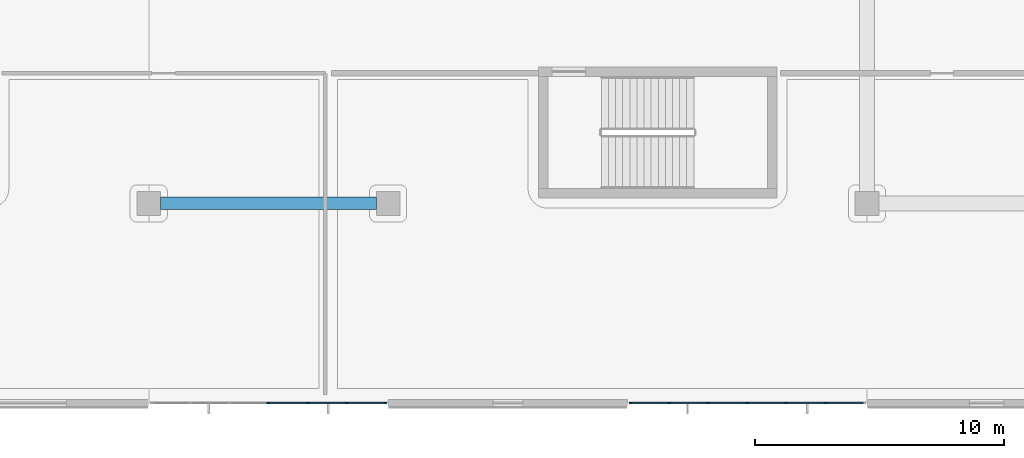
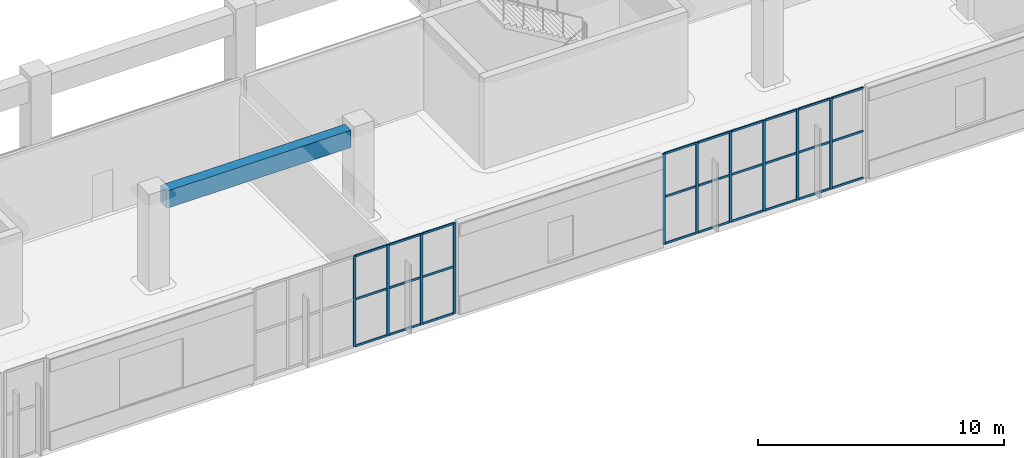
# One storey, part 8 of 86: 37 members, 1 beam, 2 elements without a shape of their own.
"""IFC4 building model written with IfcOpenShell, lengths in metres."""

from ifc_helpers import new_model, si_unit, direction, frame, origin, origin_2d, place, context, subcontext, project, spatial, rectangle, extrude, material, layer, layer_set, material_profile, profile_set, type_object, element, aggregate, save


model = new_model("IFC4")

# Units and contexts
model_context = context("Model", 3, precision=1e-05, world=origin(), true_north=direction((0.0, 1.0)))
body_context = subcontext(model_context, "Body", "Model", "MODEL_VIEW")
ifc_project = project(units=[si_unit("LENGTHUNIT", "METRE"), si_unit("AREAUNIT", "SQUARE_METRE"), si_unit("VOLUMEUNIT", "CUBIC_METRE"), si_unit("PLANEANGLEUNIT", "RADIAN"), si_unit("MASSUNIT", "GRAM", prefix="KILO")], contexts=[model_context])

# Site, building, storey
site_placement = place(None, origin())
site = spatial("IfcSite", under=ifc_project, at=site_placement, CompositionType="ELEMENT")
building_placement = place(site_placement, origin())
building = spatial("IfcBuilding", under=site, at=building_placement, Name="Cendralis Terraced Arcade", CompositionType="ELEMENT")
storey_placement = place(building_placement, frame((0.0, 0.0, 5.39990234375)))
storey = spatial("IfcBuildingStorey", under=building, at=storey_placement, Name="L01", CompositionType="ELEMENT", Elevation=5.39990234375)

# Beam
ifc_material_1 = material(Name="Concrete f'c 35 MPa", Category="concrete")
ifc_material_profile_1 = material_profile(ifc_material_1, rectangle(XDim=0.5, YDim=0.85009765625, at=origin_2d()), Name="RC-BM-500x850", Category="LoadBearing")
ifc_profile_set_1 = profile_set([ifc_material_profile_1], Name="Concrete f'c 35 MPa")
beam_type = type_object("IfcBeamType", Name="BM-500x850", PredefinedType="JOIST", material=ifc_profile_set_1)
beam_placement = place(storey_placement, frame((29.27490234375, 9.60009765625, 4.080078125), z_axis=(1.0, 0.0, 0.0), x_axis=(0.0, 1.0, 0.0)))
element("IfcBeam", 1, at=beam_placement, inside=storey, type_object=beam_type, Name="Terrace Support Girder TER-L02-VOID-2", PredefinedType="JOIST", context=body_context, shape_type="SweptSolid", body=[
    extrude(rectangle(XDim=0.5, YDim=0.85009765625, at=origin_2d()), origin(), (0.0, 0.0, 1.0), 8.650146484375),
])

# Curtain wall, members
ifc_material_2 = material(Name="Anodised aluminium EN AW-6063 T6", Category="aluminium")
ifc_layer = layer(ifc_material_2, 0.1201171875, Name="CW-STORE-B")
ifc_layer_set = layer_set([ifc_layer], Name="Anodised aluminium EN AW-6063 T6")
curtain_wall_type = type_object("IfcCurtainWallType", Name="CW-STORE-B", PredefinedType="USERDEFINED", material=ifc_layer_set)
curtain_wall_1_placement = place(storey_placement, origin())
curtain_wall_1 = element("IfcCurtainWall", 2, at=curtain_wall_1_placement, inside=storey, type_object=curtain_wall_type, Name="Exterior Storefront Glazing CW-L01-0093", ObjectType="STOREFRONT GLAZING", PredefinedType="USERDEFINED")
ifc_material_profile_2 = material_profile(ifc_material_2, rectangle(XDim=0.054931640625, YDim=0.1201171875, at=origin_2d()), Name="ALU-MUL-55x120")
ifc_profile_set_2 = profile_set([ifc_material_profile_2], Name="Anodised aluminium EN AW-6063 T6")
member_type_1 = type_object("IfcMemberType", Name="CW-STORE-B-MUL", PredefinedType="MULLION", material=ifc_profile_set_2)
member_1_placement = place(storey_placement, frame((55.93994140625, 1.60009765625, 0.0), z_axis=(0.0, 0.0, 1.0), x_axis=(0.0, -1.0, 0.0)))
member_1 = element("IfcMember", 3, at=member_1_placement, type_object=member_type_1, Name="CW-S2 mullion 2", PredefinedType="MULLION", context=body_context, shape_type="SweptSolid", body=[
    extrude(rectangle(XDim=0.054931640625, YDim=0.1201171875, at=origin_2d()), origin(), (0.0, 0.0, 1.0), 4.505126953125),
])
member_2_placement = place(storey_placement, frame((54.3701171875, 1.60009765625, 0.0), z_axis=(0.0, 0.0, 1.0), x_axis=(0.0, -1.0, 0.0)))
member_2 = element("IfcMember", 4, at=member_2_placement, type_object=member_type_1, Name="CW-S2 mullion 3", PredefinedType="MULLION", context=body_context, shape_type="SweptSolid", body=[
    extrude(rectangle(XDim=0.054931640625, YDim=0.1201171875, at=origin_2d()), origin(), (0.0, 0.0, 1.0), 4.505126953125),
])
member_3_placement = place(storey_placement, frame((52.800048828125, 1.60009765625, 0.0), z_axis=(0.0, 0.0, 1.0), x_axis=(0.0, -1.0, 0.0)))
member_3 = element("IfcMember", 5, at=member_3_placement, type_object=member_type_1, Name="CW-S2 mullion 4", PredefinedType="MULLION", context=body_context, shape_type="SweptSolid", body=[
    extrude(rectangle(XDim=0.054931640625, YDim=0.1201171875, at=origin_2d()), origin(), (0.0, 0.0, 1.0), 4.505126953125),
])
member_4_placement = place(storey_placement, frame((51.22998046875, 1.60009765625, 0.0), z_axis=(0.0, 0.0, 1.0), x_axis=(0.0, -1.0, 0.0)))
member_4 = element("IfcMember", 6, at=member_4_placement, type_object=member_type_1, Name="CW-S2 mullion 5", PredefinedType="MULLION", context=body_context, shape_type="SweptSolid", body=[
    extrude(rectangle(XDim=0.054931640625, YDim=0.1201171875, at=origin_2d()), origin(), (0.0, 0.0, 1.0), 4.505126953125),
])
member_5_placement = place(storey_placement, frame((49.659912109375, 1.60009765625, 0.0), z_axis=(0.0, 0.0, 1.0), x_axis=(0.0, -1.0, 0.0)))
member_5 = element("IfcMember", 7, at=member_5_placement, type_object=member_type_1, Name="CW-S2 mullion 6", PredefinedType="MULLION", context=body_context, shape_type="SweptSolid", body=[
    extrude(rectangle(XDim=0.054931640625, YDim=0.1201171875, at=origin_2d()), origin(), (0.0, 0.0, 1.0), 4.505126953125),
])
member_6_placement = place(storey_placement, frame((48.117431640625, 1.60009765625, 0.0), z_axis=(0.0, 0.0, 1.0), x_axis=(0.0, -1.0, 0.0)))
member_6 = element("IfcMember", 8, at=member_6_placement, type_object=member_type_1, Name="CW-S2 mullion 7", PredefinedType="MULLION", context=body_context, shape_type="SweptSolid", body=[
    extrude(rectangle(XDim=0.054931640625, YDim=0.1201171875, at=origin_2d()), origin(), (0.0, 0.0, 1.0), 4.505126953125),
])

curtain_wall_2_placement = place(storey_placement, origin())
curtain_wall_2 = element("IfcCurtainWall", 9, at=curtain_wall_2_placement, inside=storey, type_object=curtain_wall_type, Name="Exterior Storefront Glazing CW-L01-0094", ObjectType="STOREFRONT GLAZING", PredefinedType="USERDEFINED")
member_7_placement = place(storey_placement, frame((38.282470703125, 1.60009765625, 0.0), z_axis=(0.0, 0.0, 1.0), x_axis=(0.0, -1.0, 0.0)))
member_7 = element("IfcMember", 10, at=member_7_placement, type_object=member_type_1, Name="CW-S2 mullion 1", PredefinedType="MULLION", context=body_context, shape_type="SweptSolid", body=[
    extrude(rectangle(XDim=0.054931640625, YDim=0.1201171875, at=origin_2d()), origin(), (0.0, 0.0, 1.0), 4.505126953125),
])
member_8_placement = place(storey_placement, frame((36.739990234375, 1.60009765625, 0.0), z_axis=(0.0, 0.0, 1.0), x_axis=(0.0, -1.0, 0.0)))
member_8 = element("IfcMember", 11, at=member_8_placement, type_object=member_type_1, Name="CW-S2 mullion 2", PredefinedType="MULLION", context=body_context, shape_type="SweptSolid", body=[
    extrude(rectangle(XDim=0.054931640625, YDim=0.1201171875, at=origin_2d()), origin(), (0.0, 0.0, 1.0), 4.505126953125),
])
member_9_placement = place(storey_placement, frame((35.169921875, 1.60009765625, 0.0), z_axis=(0.0, 0.0, 1.0), x_axis=(0.0, -1.0, 0.0)))
member_9 = element("IfcMember", 12, at=member_9_placement, type_object=member_type_1, Name="CW-S2 mullion 3", PredefinedType="MULLION", context=body_context, shape_type="SweptSolid", body=[
    extrude(rectangle(XDim=0.054931640625, YDim=0.1201171875, at=origin_2d()), origin(), (0.0, 0.0, 1.0), 4.505126953125),
])
member_10_placement = place(storey_placement, frame((33.60009765625, 1.60009765625, 0.0), z_axis=(0.0, 0.0, 1.0), x_axis=(0.0, -1.0, 0.0)))
member_10 = element("IfcMember", 13, at=member_10_placement, type_object=member_type_1, Name="CW-S2 mullion 4", PredefinedType="MULLION", context=body_context, shape_type="SweptSolid", body=[
    extrude(rectangle(XDim=0.054931640625, YDim=0.1201171875, at=origin_2d()), origin(), (0.0, 0.0, 1.0), 4.505126953125),
])

# Member
ifc_material_profile_3 = material_profile(ifc_material_2, rectangle(XDim=0.054931640625, YDim=0.10009765625, at=origin_2d()), Name="ALU-TRN-55x100")
ifc_profile_set_3 = profile_set([ifc_material_profile_3], Name="Anodised aluminium EN AW-6063 T6")
member_type_2 = type_object("IfcMemberType", Name="CW-STORE-B-TRN", PredefinedType="USERDEFINED", material=ifc_profile_set_3)
member_11_placement = place(storey_placement, frame((57.455078125, 1.60009765625, 0.027587890625), z_axis=(-1.0, 0.0, 0.0), x_axis=(0.0, -1.0, 0.0)))
member_11 = element("IfcMember", 14, at=member_11_placement, type_object=member_type_2, Name="CW-S2 transom 1.1", ObjectType="TRANSOM", PredefinedType="USERDEFINED", context=body_context, shape_type="SweptSolid", body=[
    extrude(rectangle(XDim=0.054931640625, YDim=0.10009765625, at=origin_2d()), origin(), (0.0, 0.0, 1.0), 1.487548828125),
])

member_12_placement = place(storey_placement, frame((57.455078125, 1.60009765625, 2.3427734375), z_axis=(-1.0, 0.0, 0.0), x_axis=(0.0, -1.0, 0.0)))
member_12 = element("IfcMember", 15, at=member_12_placement, type_object=member_type_2, Name="CW-S2 transom 1.2", ObjectType="TRANSOM", PredefinedType="USERDEFINED", context=body_context, shape_type="SweptSolid", body=[
    extrude(rectangle(XDim=0.054931640625, YDim=0.10009765625, at=origin_2d()), origin(), (0.0, 0.0, 1.0), 1.487548828125),
])

member_13_placement = place(storey_placement, frame((57.455078125, 1.60009765625, 4.4775390625), z_axis=(-1.0, 0.0, 0.0), x_axis=(0.0, -1.0, 0.0)))
member_13 = element("IfcMember", 16, at=member_13_placement, type_object=member_type_2, Name="CW-S2 transom 1.3", ObjectType="TRANSOM", PredefinedType="USERDEFINED", context=body_context, shape_type="SweptSolid", body=[
    extrude(rectangle(XDim=0.054931640625, YDim=0.10009765625, at=origin_2d()), origin(), (0.0, 0.0, 1.0), 1.487548828125),
])

member_14_placement = place(storey_placement, frame((55.91259765625, 1.60009765625, 0.027587890625), z_axis=(-1.0, 0.0, 0.0), x_axis=(0.0, -1.0, 0.0)))
member_14 = element("IfcMember", 17, at=member_14_placement, type_object=member_type_2, Name="CW-S2 transom 2.1", ObjectType="TRANSOM", PredefinedType="USERDEFINED", context=body_context, shape_type="SweptSolid", body=[
    extrude(rectangle(XDim=0.054931640625, YDim=0.10009765625, at=origin_2d()), origin(), (0.0, 0.0, 1.0), 1.51513671875),
])

member_15_placement = place(storey_placement, frame((55.91259765625, 1.60009765625, 2.3427734375), z_axis=(-1.0, 0.0, 0.0), x_axis=(0.0, -1.0, 0.0)))
member_15 = element("IfcMember", 18, at=member_15_placement, type_object=member_type_2, Name="CW-S2 transom 2.2", ObjectType="TRANSOM", PredefinedType="USERDEFINED", context=body_context, shape_type="SweptSolid", body=[
    extrude(rectangle(XDim=0.054931640625, YDim=0.10009765625, at=origin_2d()), origin(), (0.0, 0.0, 1.0), 1.51513671875),
])

member_16_placement = place(storey_placement, frame((55.91259765625, 1.60009765625, 4.4775390625), z_axis=(-1.0, 0.0, 0.0), x_axis=(0.0, -1.0, 0.0)))
member_16 = element("IfcMember", 19, at=member_16_placement, type_object=member_type_2, Name="CW-S2 transom 2.3", ObjectType="TRANSOM", PredefinedType="USERDEFINED", context=body_context, shape_type="SweptSolid", body=[
    extrude(rectangle(XDim=0.054931640625, YDim=0.10009765625, at=origin_2d()), origin(), (0.0, 0.0, 1.0), 1.51513671875),
])

member_17_placement = place(storey_placement, frame((54.342529296875, 1.60009765625, 0.027587890625), z_axis=(-1.0, 0.0, 0.0), x_axis=(0.0, -1.0, 0.0)))
member_17 = element("IfcMember", 20, at=member_17_placement, type_object=member_type_2, Name="CW-S2 transom 3.1", ObjectType="TRANSOM", PredefinedType="USERDEFINED", context=body_context, shape_type="SweptSolid", body=[
    extrude(rectangle(XDim=0.054931640625, YDim=0.10009765625, at=origin_2d()), origin(), (0.0, 0.0, 1.0), 1.51513671875),
])

member_18_placement = place(storey_placement, frame((54.342529296875, 1.60009765625, 2.3427734375), z_axis=(-1.0, 0.0, 0.0), x_axis=(0.0, -1.0, 0.0)))
member_18 = element("IfcMember", 21, at=member_18_placement, type_object=member_type_2, Name="CW-S2 transom 3.2", ObjectType="TRANSOM", PredefinedType="USERDEFINED", context=body_context, shape_type="SweptSolid", body=[
    extrude(rectangle(XDim=0.054931640625, YDim=0.10009765625, at=origin_2d()), origin(), (0.0, 0.0, 1.0), 1.51513671875),
])

member_19_placement = place(storey_placement, frame((54.342529296875, 1.60009765625, 4.4775390625), z_axis=(-1.0, 0.0, 0.0), x_axis=(0.0, -1.0, 0.0)))
member_19 = element("IfcMember", 22, at=member_19_placement, type_object=member_type_2, Name="CW-S2 transom 3.3", ObjectType="TRANSOM", PredefinedType="USERDEFINED", context=body_context, shape_type="SweptSolid", body=[
    extrude(rectangle(XDim=0.054931640625, YDim=0.10009765625, at=origin_2d()), origin(), (0.0, 0.0, 1.0), 1.51513671875),
])

member_20_placement = place(storey_placement, frame((52.7724609375, 1.60009765625, 0.027587890625), z_axis=(-1.0, 0.0, 0.0), x_axis=(0.0, -1.0, 0.0)))
member_20 = element("IfcMember", 23, at=member_20_placement, type_object=member_type_2, Name="CW-S2 transom 4.1", ObjectType="TRANSOM", PredefinedType="USERDEFINED", context=body_context, shape_type="SweptSolid", body=[
    extrude(rectangle(XDim=0.054931640625, YDim=0.10009765625, at=origin_2d()), origin(), (0.0, 0.0, 1.0), 1.514892578125),
])

member_21_placement = place(storey_placement, frame((52.7724609375, 1.60009765625, 2.3427734375), z_axis=(-1.0, 0.0, 0.0), x_axis=(0.0, -1.0, 0.0)))
member_21 = element("IfcMember", 24, at=member_21_placement, type_object=member_type_2, Name="CW-S2 transom 4.2", ObjectType="TRANSOM", PredefinedType="USERDEFINED", context=body_context, shape_type="SweptSolid", body=[
    extrude(rectangle(XDim=0.054931640625, YDim=0.10009765625, at=origin_2d()), origin(), (0.0, 0.0, 1.0), 1.514892578125),
])

member_22_placement = place(storey_placement, frame((52.7724609375, 1.60009765625, 4.4775390625), z_axis=(-1.0, 0.0, 0.0), x_axis=(0.0, -1.0, 0.0)))
member_22 = element("IfcMember", 25, at=member_22_placement, type_object=member_type_2, Name="CW-S2 transom 4.3", ObjectType="TRANSOM", PredefinedType="USERDEFINED", context=body_context, shape_type="SweptSolid", body=[
    extrude(rectangle(XDim=0.054931640625, YDim=0.10009765625, at=origin_2d()), origin(), (0.0, 0.0, 1.0), 1.514892578125),
])

member_23_placement = place(storey_placement, frame((51.202392578125, 1.60009765625, 0.027587890625), z_axis=(-1.0, 0.0, 0.0), x_axis=(0.0, -1.0, 0.0)))
member_23 = element("IfcMember", 26, at=member_23_placement, type_object=member_type_2, Name="CW-S2 transom 5.1", ObjectType="TRANSOM", PredefinedType="USERDEFINED", context=body_context, shape_type="SweptSolid", body=[
    extrude(rectangle(XDim=0.054931640625, YDim=0.10009765625, at=origin_2d()), origin(), (0.0, 0.0, 1.0), 1.514892578125),
])

member_24_placement = place(storey_placement, frame((51.202392578125, 1.60009765625, 2.3427734375), z_axis=(-1.0, 0.0, 0.0), x_axis=(0.0, -1.0, 0.0)))
member_24 = element("IfcMember", 27, at=member_24_placement, type_object=member_type_2, Name="CW-S2 transom 5.2", ObjectType="TRANSOM", PredefinedType="USERDEFINED", context=body_context, shape_type="SweptSolid", body=[
    extrude(rectangle(XDim=0.054931640625, YDim=0.10009765625, at=origin_2d()), origin(), (0.0, 0.0, 1.0), 1.514892578125),
])

member_25_placement = place(storey_placement, frame((51.202392578125, 1.60009765625, 4.4775390625), z_axis=(-1.0, 0.0, 0.0), x_axis=(0.0, -1.0, 0.0)))
member_25 = element("IfcMember", 28, at=member_25_placement, type_object=member_type_2, Name="CW-S2 transom 5.3", ObjectType="TRANSOM", PredefinedType="USERDEFINED", context=body_context, shape_type="SweptSolid", body=[
    extrude(rectangle(XDim=0.054931640625, YDim=0.10009765625, at=origin_2d()), origin(), (0.0, 0.0, 1.0), 1.514892578125),
])

member_26_placement = place(storey_placement, frame((49.632568359375, 1.60009765625, 0.027587890625), z_axis=(-1.0, 0.0, 0.0), x_axis=(0.0, -1.0, 0.0)))
member_26 = element("IfcMember", 29, at=member_26_placement, type_object=member_type_2, Name="CW-S2 transom 6.1", ObjectType="TRANSOM", PredefinedType="USERDEFINED", context=body_context, shape_type="SweptSolid", body=[
    extrude(rectangle(XDim=0.054931640625, YDim=0.10009765625, at=origin_2d()), origin(), (0.0, 0.0, 1.0), 1.487548828125),
])

member_27_placement = place(storey_placement, frame((49.632568359375, 1.60009765625, 2.3427734375), z_axis=(-1.0, 0.0, 0.0), x_axis=(0.0, -1.0, 0.0)))
member_27 = element("IfcMember", 30, at=member_27_placement, type_object=member_type_2, Name="CW-S2 transom 6.2", ObjectType="TRANSOM", PredefinedType="USERDEFINED", context=body_context, shape_type="SweptSolid", body=[
    extrude(rectangle(XDim=0.054931640625, YDim=0.10009765625, at=origin_2d()), origin(), (0.0, 0.0, 1.0), 1.487548828125),
])

member_28_placement = place(storey_placement, frame((49.632568359375, 1.60009765625, 4.4775390625), z_axis=(-1.0, 0.0, 0.0), x_axis=(0.0, -1.0, 0.0)))
member_28 = element("IfcMember", 31, at=member_28_placement, type_object=member_type_2, Name="CW-S2 transom 6.3", ObjectType="TRANSOM", PredefinedType="USERDEFINED", context=body_context, shape_type="SweptSolid", body=[
    extrude(rectangle(XDim=0.054931640625, YDim=0.10009765625, at=origin_2d()), origin(), (0.0, 0.0, 1.0), 1.487548828125),
])

aggregate(curtain_wall_1, [member_1, member_2, member_3, member_4, member_5, member_6, member_11, member_12, member_13, member_14, member_15, member_16, member_17, member_18, member_19, member_20, member_21, member_22, member_23, member_24, member_25, member_26, member_27, member_28])

member_29_placement = place(storey_placement, frame((38.2548828125, 1.60009765625, 0.027587890625), z_axis=(-1.0, 0.0, 0.0), x_axis=(0.0, -1.0, 0.0)))
member_29 = element("IfcMember", 32, at=member_29_placement, type_object=member_type_2, Name="CW-S2 transom 1.1", ObjectType="TRANSOM", PredefinedType="USERDEFINED", context=body_context, shape_type="SweptSolid", body=[
    extrude(rectangle(XDim=0.054931640625, YDim=0.10009765625, at=origin_2d()), origin(), (0.0, 0.0, 1.0), 1.4873046875),
])

member_30_placement = place(storey_placement, frame((38.2548828125, 1.60009765625, 2.3427734375), z_axis=(-1.0, 0.0, 0.0), x_axis=(0.0, -1.0, 0.0)))
member_30 = element("IfcMember", 33, at=member_30_placement, type_object=member_type_2, Name="CW-S2 transom 1.2", ObjectType="TRANSOM", PredefinedType="USERDEFINED", context=body_context, shape_type="SweptSolid", body=[
    extrude(rectangle(XDim=0.054931640625, YDim=0.10009765625, at=origin_2d()), origin(), (0.0, 0.0, 1.0), 1.4873046875),
])

member_31_placement = place(storey_placement, frame((38.2548828125, 1.60009765625, 4.4775390625), z_axis=(-1.0, 0.0, 0.0), x_axis=(0.0, -1.0, 0.0)))
member_31 = element("IfcMember", 34, at=member_31_placement, type_object=member_type_2, Name="CW-S2 transom 1.3", ObjectType="TRANSOM", PredefinedType="USERDEFINED", context=body_context, shape_type="SweptSolid", body=[
    extrude(rectangle(XDim=0.054931640625, YDim=0.10009765625, at=origin_2d()), origin(), (0.0, 0.0, 1.0), 1.4873046875),
])

member_32_placement = place(storey_placement, frame((36.71240234375, 1.60009765625, 0.027587890625), z_axis=(-1.0, 0.0, 0.0), x_axis=(0.0, -1.0, 0.0)))
member_32 = element("IfcMember", 35, at=member_32_placement, type_object=member_type_2, Name="CW-S2 transom 2.1", ObjectType="TRANSOM", PredefinedType="USERDEFINED", context=body_context, shape_type="SweptSolid", body=[
    extrude(rectangle(XDim=0.054931640625, YDim=0.10009765625, at=origin_2d()), origin(), (0.0, 0.0, 1.0), 1.514892578125),
])

member_33_placement = place(storey_placement, frame((36.71240234375, 1.60009765625, 2.3427734375), z_axis=(-1.0, 0.0, 0.0), x_axis=(0.0, -1.0, 0.0)))
member_33 = element("IfcMember", 36, at=member_33_placement, type_object=member_type_2, Name="CW-S2 transom 2.2", ObjectType="TRANSOM", PredefinedType="USERDEFINED", context=body_context, shape_type="SweptSolid", body=[
    extrude(rectangle(XDim=0.054931640625, YDim=0.10009765625, at=origin_2d()), origin(), (0.0, 0.0, 1.0), 1.514892578125),
])

member_34_placement = place(storey_placement, frame((36.71240234375, 1.60009765625, 4.4775390625), z_axis=(-1.0, 0.0, 0.0), x_axis=(0.0, -1.0, 0.0)))
member_34 = element("IfcMember", 37, at=member_34_placement, type_object=member_type_2, Name="CW-S2 transom 2.3", ObjectType="TRANSOM", PredefinedType="USERDEFINED", context=body_context, shape_type="SweptSolid", body=[
    extrude(rectangle(XDim=0.054931640625, YDim=0.10009765625, at=origin_2d()), origin(), (0.0, 0.0, 1.0), 1.514892578125),
])

member_35_placement = place(storey_placement, frame((35.142578125, 1.60009765625, 0.027587890625), z_axis=(-1.0, 0.0, 0.0), x_axis=(0.0, -1.0, 0.0)))
member_35 = element("IfcMember", 38, at=member_35_placement, type_object=member_type_2, Name="CW-S2 transom 3.1", ObjectType="TRANSOM", PredefinedType="USERDEFINED", context=body_context, shape_type="SweptSolid", body=[
    extrude(rectangle(XDim=0.054931640625, YDim=0.10009765625, at=origin_2d()), origin(), (0.0, 0.0, 1.0), 1.51513671875),
])

member_36_placement = place(storey_placement, frame((35.142578125, 1.60009765625, 2.3427734375), z_axis=(-1.0, 0.0, 0.0), x_axis=(0.0, -1.0, 0.0)))
member_36 = element("IfcMember", 39, at=member_36_placement, type_object=member_type_2, Name="CW-S2 transom 3.2", ObjectType="TRANSOM", PredefinedType="USERDEFINED", context=body_context, shape_type="SweptSolid", body=[
    extrude(rectangle(XDim=0.054931640625, YDim=0.10009765625, at=origin_2d()), origin(), (0.0, 0.0, 1.0), 1.51513671875),
])

member_37_placement = place(storey_placement, frame((35.142578125, 1.60009765625, 4.4775390625), z_axis=(-1.0, 0.0, 0.0), x_axis=(0.0, -1.0, 0.0)))
member_37 = element("IfcMember", 40, at=member_37_placement, type_object=member_type_2, Name="CW-S2 transom 3.3", ObjectType="TRANSOM", PredefinedType="USERDEFINED", context=body_context, shape_type="SweptSolid", body=[
    extrude(rectangle(XDim=0.054931640625, YDim=0.10009765625, at=origin_2d()), origin(), (0.0, 0.0, 1.0), 1.51513671875),
])

aggregate(curtain_wall_2, [member_7, member_8, member_9, member_10, member_29, member_30, member_31, member_32, member_33, member_34, member_35, member_36, member_37])

save(model, "model.ifc")
